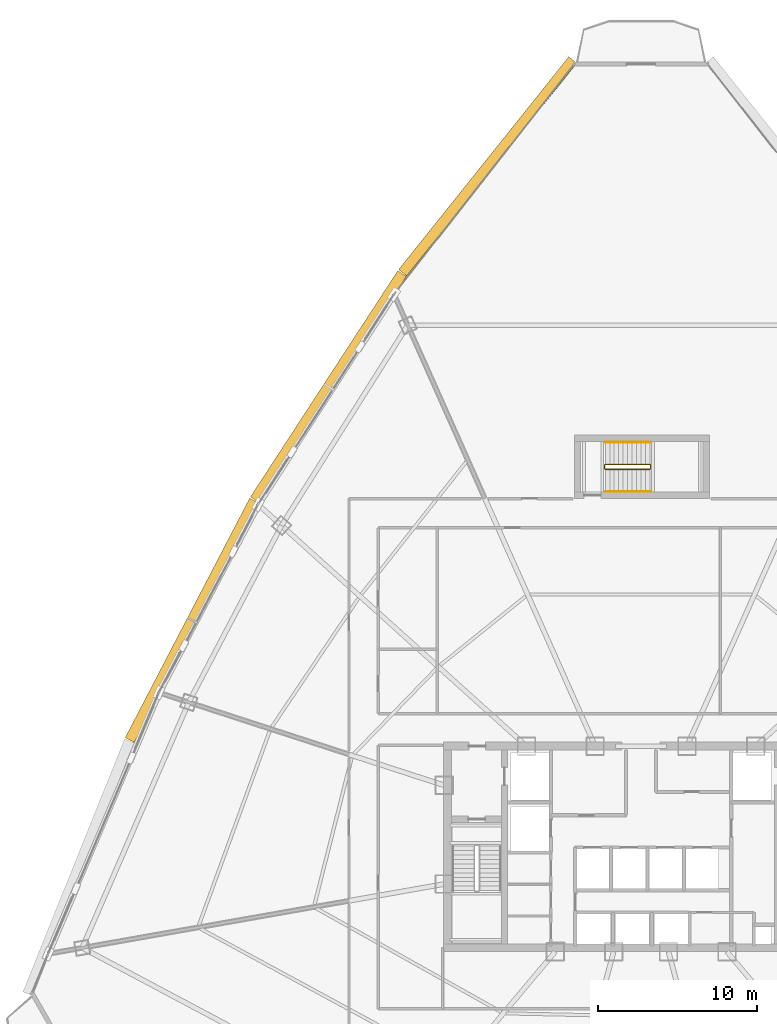
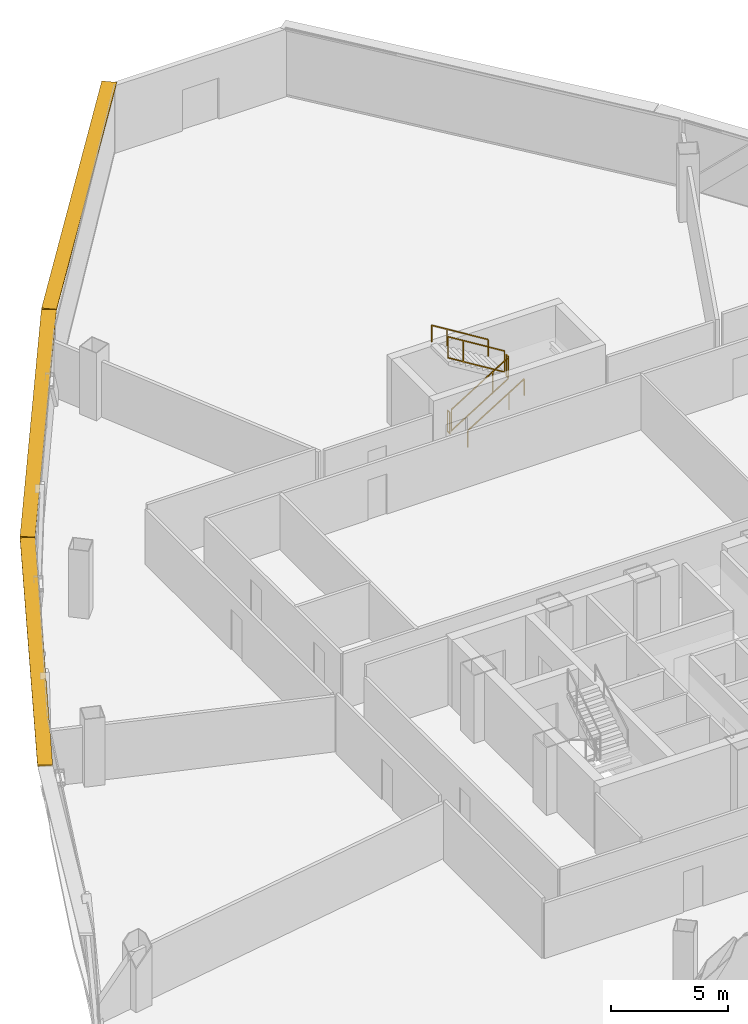
# One storey, part 36 of 37: 6 railings, 3 shading devices.
"""IFC4 building model written with IfcOpenShell, lengths in metres."""

import ifcopenshell
import ifcopenshell.guid

model = None  # the IFC model being written
_history = None  # IfcOwnerHistory: only IFC2X3 demands one
_inside = {}  # id of a spatial element -> (the spatial element, [elements in it])
_under = {}  # id of a project, library or spatial element -> (it, [spatial elements below it])
_declared = {}  # id of a project -> (the project, [libraries it declares])
_typed = {}  # id of a type object -> (the type object, [elements of that type])
_made_of = {}  # id of a material, layer set ... -> (it, [elements and type objects made of it])


def new_model(schema):
    """Start an empty IFC model of exactly this schema.

    Asked for "IFC4X3", IfcOpenShell would pick the latest addendum, in which some entities
    have other attributes; the version numbers below select the first issue.
    IFC2X3 requires an IfcOwnerHistory on every rooted entity: one is made here for all.
    """
    global model, _history
    if schema == "IFC4X3":
        model = ifcopenshell.file(schema_version=(4, 3, 0, 0))
    else:
        model = ifcopenshell.file(schema=schema)
    _inside.clear()
    _under.clear()
    _declared.clear()
    _typed.clear()
    _made_of.clear()
    _history = None
    if model.schema == "IFC2X3":
        org = make("IfcOrganization", Name="unknown")
        user = make(
            "IfcPersonAndOrganization",
            ThePerson=make("IfcPerson", FamilyName="unknown"),
            TheOrganization=org,
        )
        app = make(
            "IfcApplication",
            ApplicationDeveloper=org,
            Version="unknown",
            ApplicationFullName="unknown",
            ApplicationIdentifier="unknown",
        )
        _history = make(
            "IfcOwnerHistory",
            OwningUser=user,
            OwningApplication=app,
            ChangeAction="ADDED",
            CreationDate=0,
        )
    return model


def make(cls, **values):
    """One entity of the class cls with the attributes given. An attribute that is None is left unset."""
    return model.create_entity(
        cls, **{name: value for name, value in values.items() if value is not None}
    )


def rooted(cls, **values):
    """An entity with a GlobalId (a new one), such as an element, a storey or a relation."""
    return make(cls, GlobalId=ifcopenshell.guid.new(), OwnerHistory=_history, **values)


def si_unit(unit_type, name, prefix=None):
    """IfcSIUnit, for example si_unit("LENGTHUNIT", "METRE", prefix="MILLI")."""
    return make("IfcSIUnit", UnitType=unit_type, Prefix=prefix, Name=name)


def assignment(units):
    """IfcUnitAssignment: the units of a project."""
    return None if units is None else make("IfcUnitAssignment", Units=units)


def point(xyz):
    """IfcCartesianPoint."""
    return None if xyz is None else make("IfcCartesianPoint", Coordinates=xyz)


def direction(xyz):
    """IfcDirection."""
    return None if xyz is None else make("IfcDirection", DirectionRatios=xyz)


def frame(location, z_axis=None, x_axis=None):
    """IfcAxis2Placement3D, a coordinate frame: its origin and axes. An axis left out is left unset."""
    return make(
        "IfcAxis2Placement3D",
        Location=point(location),
        Axis=direction(z_axis),
        RefDirection=direction(x_axis),
    )


def frame_2d(location, x_axis=None):
    """IfcAxis2Placement2D, a coordinate frame in the plane: its origin and x axis."""
    return make(
        "IfcAxis2Placement2D", Location=point(location), RefDirection=direction(x_axis)
    )


def origin():
    """The frame at (0, 0, 0) with its axes left unset."""
    return frame((0.0, 0.0, 0.0))


def origin_2d():
    """The frame at (0, 0) in the plane with its x axis left unset."""
    return frame_2d((0.0, 0.0))


def place(relative_to, where):
    """IfcLocalPlacement: puts the frame where relative to a parent placement (None: the world)."""
    return make(
        "IfcLocalPlacement", PlacementRelTo=relative_to, RelativePlacement=where
    )


def context(
    kind, dimensions, precision=None, world=None, true_north=None, identifier=None
):
    """IfcGeometricRepresentationContext, for example the 3D "Model" context."""
    return make(
        "IfcGeometricRepresentationContext",
        ContextIdentifier=identifier,
        ContextType=kind,
        CoordinateSpaceDimension=dimensions,
        Precision=precision,
        WorldCoordinateSystem=world,
        TrueNorth=true_north,
    )


def subcontext(parent, identifier, kind, view, scale=None):
    """IfcGeometricRepresentationSubContext, for example "Body" below "Model"."""
    return make(
        "IfcGeometricRepresentationSubContext",
        ContextIdentifier=identifier,
        ContextType=kind,
        ParentContext=parent,
        TargetScale=scale,
        TargetView=view,
    )


def project(units=None, contexts=None):
    """IfcProject with its units and contexts."""
    return rooted(
        "IfcProject",
        Name="project",
        RepresentationContexts=contexts,
        UnitsInContext=assignment(units),
    )


def spatial(cls, under=None, at=None, **own):
    """A site, building, storey or space (cls), placed at a placement, below another one or the project."""
    s = rooted(cls, ObjectPlacement=at, **own)
    if under is not None:
        _under.setdefault(under.id(), (under, []))[1].append(s)
    return s


def profile(cls, at=None, kind="AREA", **sizes):
    """A parametric profile (cls). Its sizes go by their IFC names, for example OverallWidth=200.0."""
    return make(cls, ProfileType=kind, Position=at, **sizes)


def rectangle(**sizes):
    """IfcRectangleProfileDef."""
    return profile("IfcRectangleProfileDef", **sizes)


def extrude(swept, where, along, depth):
    """IfcExtrudedAreaSolid: the profile swept, set in the frame where, extruded along a direction by depth."""
    return make(
        "IfcExtrudedAreaSolid",
        SweptArea=swept,
        Position=where,
        ExtrudedDirection=direction(along),
        Depth=depth,
    )


def shape(context_of_items, identifier, shape_type, items):
    """IfcShapeRepresentation: the items that make up one representation, for example the "Body"."""
    return make(
        "IfcShapeRepresentation",
        ContextOfItems=context_of_items,
        RepresentationIdentifier=identifier,
        RepresentationType=shape_type,
        Items=items,
    )


def source(mapping_origin, context_of_items, identifier, shape_type, items):
    """IfcRepresentationMap: a shape defined once, which mapped items show again and again."""
    return make(
        "IfcRepresentationMap",
        MappingOrigin=mapping_origin,
        MappedRepresentation=shape(context_of_items, identifier, shape_type, items),
    )


def transform(
    local_origin,
    x_axis=None,
    y_axis=None,
    z_axis=None,
    scale=None,
    scale2=None,
    scale3=None,
    uniform=True,
):
    """IfcCartesianTransformationOperator3D, or its non-uniform kind. x_axis, y_axis, z_axis: its Axis1, 2, 3."""
    if uniform:
        return make(
            "IfcCartesianTransformationOperator3D",
            Axis1=direction(x_axis),
            Axis2=direction(y_axis),
            LocalOrigin=point(local_origin),
            Scale=scale,
            Axis3=direction(z_axis),
        )
    return make(
        "IfcCartesianTransformationOperator3DnonUniform",
        Axis1=direction(x_axis),
        Axis2=direction(y_axis),
        LocalOrigin=point(local_origin),
        Scale=scale,
        Axis3=direction(z_axis),
        Scale2=scale2,
        Scale3=scale3,
    )


def mapped(mapping_source, mapping_target):
    """IfcMappedItem: shows the shape of a source again, moved by a transform."""
    return make(
        "IfcMappedItem", MappingSource=mapping_source, MappingTarget=mapping_target
    )


def material(Name=None, Category=None):
    """IfcMaterial."""
    return make("IfcMaterial", Name=Name, Category=Category)


def layer(
    of_material, thickness, ventilated=None, Name=None, Category=None, Priority=None
):
    """IfcMaterialLayer: one layer of a wall or slab, of a material (None: an air gap)."""
    return make(
        "IfcMaterialLayer",
        Material=of_material,
        LayerThickness=thickness,
        IsVentilated=ventilated,
        Name=Name,
        Category=Category,
        Priority=Priority,
    )


def layer_set(layers, Name=None):
    """IfcMaterialLayerSet."""
    return make("IfcMaterialLayerSet", MaterialLayers=layers, LayerSetName=Name)


def made_of(thing, what):
    """Note that an element or type object is made of a material, layer set ...; save() writes the relation."""
    if what is not None:
        _made_of.setdefault(what.id(), (what, []))[1].append(thing)
    return thing


def type_object(cls, material=None, **own):
    """A type object (cls), such as IfcWallType, which elements share."""
    return made_of(rooted(cls, **own), material)


def element(
    cls,
    number,
    at=None,
    inside=None,
    cuts=None,
    type_object=None,
    material=None,
    context=None,
    identifier="Body",
    shape_type=None,
    held_by="IfcProductDefinitionShape",
    body=None,
    shapes=None,
    **own,
):
    """One element of the class cls, such as IfcWall. Its Tag is "e" and its number.

    at: its placement. inside: the storey or other place that contains it. cuts: it is an
    opening in that element (IfcRelVoidsElement). A single representation is given by context,
    identifier, shape_type and body (its items); several are given by shapes. held_by: the class
    of the entity that holds the representations. save() writes the other relations.
    """
    e = rooted(cls, Tag="e%d" % number, ObjectPlacement=at, **own)
    if body is not None:
        shapes = [shape(context, identifier, shape_type, body)]
    if shapes is not None:
        e.Representation = make(held_by, Representations=shapes)
    if inside is not None:
        _inside.setdefault(inside.id(), (inside, []))[1].append(e)
    if cuts is not None:
        rooted(
            "IfcRelVoidsElement", RelatingBuildingElement=cuts, RelatedOpeningElement=e
        )
    if type_object is not None:
        _typed.setdefault(type_object.id(), (type_object, []))[1].append(e)
    return made_of(e, material)


def aggregate(whole, parts):
    """IfcRelAggregates: a whole, such as a stair, and the parts it consists of."""
    return rooted("IfcRelAggregates", RelatingObject=whole, RelatedObjects=parts)


def save(model, path):
    """Write the relations noted so far, then the file.

    IfcRelAggregates (storeys below a building ...), IfcRelContainedInSpatialStructure (elements
    in a storey), IfcRelDefinesByType, IfcRelAssociatesMaterial and IfcRelDeclares: one each for
    every whole, place, type object, material and project.
    """
    for whole, parts in _under.values():
        aggregate(whole, parts)
    for where, things in _inside.values():
        rooted(
            "IfcRelContainedInSpatialStructure",
            RelatedElements=things,
            RelatingStructure=where,
        )
    for kind, things in _typed.values():
        rooted("IfcRelDefinesByType", RelatedObjects=things, RelatingType=kind)
    for what, things in _made_of.values():
        rooted("IfcRelAssociatesMaterial", RelatedObjects=things, RelatingMaterial=what)
    for by, libraries in _declared.values():
        rooted("IfcRelDeclares", RelatingContext=by, RelatedDefinitions=libraries)
    model.write(path)


model = new_model("IFC4")

# Units and contexts
model_context = context("Model", 3, precision=1e-05, world=origin(), true_north=direction((0.0, 1.0)))
body_context = subcontext(model_context, "Body", "Model", "MODEL_VIEW")
ifc_project = project(units=[si_unit("LENGTHUNIT", "METRE"), si_unit("AREAUNIT", "SQUARE_METRE"), si_unit("VOLUMEUNIT", "CUBIC_METRE"), si_unit("PLANEANGLEUNIT", "RADIAN"), si_unit("MASSUNIT", "GRAM", prefix="KILO"), si_unit("THERMODYNAMICTEMPERATUREUNIT", "KELVIN"), si_unit("POWERUNIT", "WATT")], contexts=[model_context])

# Site, building, storey
site_placement = place(None, origin())
site = spatial("IfcSite", under=ifc_project, at=site_placement, CompositionType="ELEMENT")
building_placement = place(site_placement, origin())
building = spatial("IfcBuilding", under=site, at=building_placement, Name="Yunzhuo Pagoda Commons", CompositionType="ELEMENT")
storey_placement = place(building_placement, frame((0.0, 0.0, 192.360107421875)))
storey = spatial("IfcBuildingStorey", under=building, at=storey_placement, Name="L48", CompositionType="ELEMENT", Elevation=192.360107421875)

# Railings
ifc_material = material(Name="Anodized aluminium 6063-T6", Category="aluminium")
railing_type_1 = type_object("IfcRailingType", Name="GR-ST3 North Well Guardrail 1155", PredefinedType="GUARDRAIL", material=ifc_material)
railing_1_placement = place(storey_placement, frame((45.75, 57.64990234375, 0.172607421875)))
element("IfcRailing", 1, at=railing_1_placement, inside=storey, type_object=railing_type_1, Name="L48 ST3 stair guard 1", PredefinedType="GUARDRAIL", context=body_context, shape_type="SweptSolid", body=[
    extrude(rectangle(XDim=0.048095703125, YDim=0.048095703125, at=origin_2d()), frame((0.0, 0.0, 1.1259765625), z_axis=(0.851089632645, 0.0, 0.525020415988), x_axis=(0.0, 1.0, 0.0)), (0.0, 0.0, 1.0), 3.2900390625),
    extrude(rectangle(XDim=0.048095703125, YDim=0.048095703125, at=origin_2d()), frame((0.0, 0.0, 0.02392578125), z_axis=(0.851089632645, 0.0, 0.525020415988), x_axis=(0.0, 1.0, 0.0)), (0.0, 0.0, 1.0), 3.2900390625),
    extrude(rectangle(XDim=0.0419921875, YDim=0.0419921875, at=origin_2d()), origin(), (0.0, 0.0, 1.0), 1.101806640625),
    extrude(rectangle(XDim=0.0419921875, YDim=0.0419921875, at=origin_2d()), frame((2.042724609375, 0.0, 1.260009765625)), (0.0, 0.0, 1.0), 1.101806640625),
    extrude(rectangle(XDim=0.0419921875, YDim=0.0419921875, at=origin_2d()), frame((2.800048828125, 0.0, 1.727294921875)), (0.0, 0.0, 1.0), 1.101806640625),
])
railing_2_placement = place(storey_placement, frame((48.60009765625, 57.699951171875, 1.89990234375)))
element("IfcRailing", 2, at=railing_2_placement, inside=storey, type_object=railing_type_1, Name="L48 ST3 stair guard 2", PredefinedType="GUARDRAIL", context=body_context, shape_type="SweptSolid", body=[
    extrude(rectangle(XDim=0.048095703125, YDim=0.048095703125, at=origin_2d()), frame((0.0, 0.0, 1.1259765625), z_axis=(0.0, 1.0, 0.0), x_axis=(-1.0, 0.0, 0.0)), (0.0, 0.0, 1.0), 0.199951171875),
    extrude(rectangle(XDim=0.048095703125, YDim=0.048095703125, at=origin_2d()), frame((0.0, 0.0, 0.02392578125), z_axis=(0.0, 1.0, 0.0), x_axis=(-1.0, 0.0, 0.0)), (0.0, 0.0, 1.0), 0.199951171875),
    extrude(rectangle(XDim=0.0419921875, YDim=0.0419921875, at=origin_2d()), origin(), (0.0, 0.0, 1.0), 1.101806640625),
    extrude(rectangle(XDim=0.0419921875, YDim=0.0419921875, at=origin_2d()), frame((0.0, 0.199951171875, 0.0)), (0.0, 0.0, 1.0), 1.101806640625),
])
railing_3_placement = place(storey_placement, frame((48.550048828125, 57.949951171875, 2.072509765625)))
element("IfcRailing", 3, at=railing_3_placement, inside=storey, type_object=railing_type_1, Name="L48 ST3 stair guard 3", PredefinedType="GUARDRAIL", context=body_context, shape_type="SweptSolid", body=[
    extrude(rectangle(XDim=0.048095703125, YDim=0.048095703125, at=origin_2d()), frame((0.0, 0.0, 1.1259765625), z_axis=(-0.851089632645, 0.0, 0.525020415988), x_axis=(0.0, -1.0, 0.0)), (0.0, 0.0, 1.0), 3.2900390625),
    extrude(rectangle(XDim=0.048095703125, YDim=0.048095703125, at=origin_2d()), frame((0.0, 0.0, 0.02392578125), z_axis=(-0.851089632645, 0.0, 0.525020415988), x_axis=(0.0, -1.0, 0.0)), (0.0, 0.0, 1.0), 3.2900390625),
    extrude(rectangle(XDim=0.0419921875, YDim=0.0419921875, at=origin_2d()), origin(), (0.0, 0.0, 1.0), 1.101806640625),
    extrude(rectangle(XDim=0.0419921875, YDim=0.0419921875, at=origin_2d()), frame((-2.042724609375, 0.0, 1.260009765625)), (0.0, 0.0, 1.0), 1.101806640625),
    extrude(rectangle(XDim=0.0419921875, YDim=0.0419921875, at=origin_2d()), frame((-2.800048828125, 0.0, 1.727294921875)), (0.0, 0.0, 1.0), 1.101806640625),
])
railing_4_placement = place(storey_placement, frame((45.699951171875, 57.699951171875, 0.0)))
element("IfcRailing", 4, at=railing_4_placement, inside=storey, type_object=railing_type_1, Name="L48 ST3 stair guard 4", PredefinedType="GUARDRAIL", context=body_context, shape_type="SweptSolid", body=[
    extrude(rectangle(XDim=0.048095703125, YDim=0.048095703125, at=origin_2d()), frame((0.0, 0.0, 1.1259765625), z_axis=(0.0, 1.0, 0.0), x_axis=(-1.0, 0.0, 0.0)), (0.0, 0.0, 1.0), 0.199951171875),
    extrude(rectangle(XDim=0.048095703125, YDim=0.048095703125, at=origin_2d()), frame((0.0, 0.0, 0.02392578125), z_axis=(0.0, 1.0, 0.0), x_axis=(-1.0, 0.0, 0.0)), (0.0, 0.0, 1.0), 0.199951171875),
    extrude(rectangle(XDim=0.0419921875, YDim=0.0419921875, at=origin_2d()), origin(), (0.0, 0.0, 1.0), 1.101806640625),
    extrude(rectangle(XDim=0.0419921875, YDim=0.0419921875, at=origin_2d()), frame((0.0, 0.199951171875, 0.0)), (0.0, 0.0, 1.0), 1.101806640625),
])
railing_type_2 = type_object("IfcRailingType", Name="HR-ST3 North Stair Handrail 900", PredefinedType="HANDRAIL", material=ifc_material)
railing_5_placement = place(storey_placement, frame((45.75, 56.25, 0.172607421875)))
element("IfcRailing", 5, at=railing_5_placement, inside=storey, type_object=railing_type_2, Name="L48 ST3 stair handrail 1", PredefinedType="HANDRAIL", context=body_context, shape_type="SweptSolid", body=[
    extrude(rectangle(XDim=0.048095703125, YDim=0.048095703125, at=origin_2d()), frame((0.0, 0.0, 0.8759765625), z_axis=(0.851089632645, 0.0, 0.525020415988), x_axis=(0.0, 1.0, 0.0)), (0.0, 0.0, 1.0), 3.2900390625),
    extrude(rectangle(XDim=0.0419921875, YDim=0.0419921875, at=origin_2d()), origin(), (0.0, 0.0, 1.0), 0.851806640625),
    extrude(rectangle(XDim=0.0419921875, YDim=0.0419921875, at=origin_2d()), frame((2.042724609375, 0.0, 1.260009765625)), (0.0, 0.0, 1.0), 0.851806640625),
    extrude(rectangle(XDim=0.0419921875, YDim=0.0419921875, at=origin_2d()), frame((2.800048828125, 0.0, 1.727294921875)), (0.0, 0.0, 1.0), 0.851806640625),
])
railing_6_placement = place(storey_placement, frame((48.550048828125, 59.35009765625, 2.072509765625)))
element("IfcRailing", 6, at=railing_6_placement, inside=storey, type_object=railing_type_2, Name="L48 ST3 stair handrail 2", PredefinedType="HANDRAIL", context=body_context, shape_type="SweptSolid", body=[
    extrude(rectangle(XDim=0.048095703125, YDim=0.048095703125, at=origin_2d()), frame((0.0, 0.0, 0.8759765625), z_axis=(-0.851089632645, 0.0, 0.525020415988), x_axis=(0.0, -1.0, 0.0)), (0.0, 0.0, 1.0), 3.2900390625),
    extrude(rectangle(XDim=0.0419921875, YDim=0.0419921875, at=origin_2d()), origin(), (0.0, 0.0, 1.0), 0.851806640625),
    extrude(rectangle(XDim=0.0419921875, YDim=0.0419921875, at=origin_2d()), frame((-2.042724609375, 0.0, 1.260009765625)), (0.0, 0.0, 1.0), 0.851806640625),
    extrude(rectangle(XDim=0.0419921875, YDim=0.0419921875, at=origin_2d()), frame((-2.800048828125, 0.0, 1.727294921875)), (0.0, 0.0, 1.0), 0.851806640625),
])

# Shading devices
ifc_layer = layer(ifc_material, 0.080078125)
ifc_layer_set = layer_set([ifc_layer], Name="Anodized aluminium 6063-T6")
shading_device_type = type_object("IfcShadingDeviceType", Name="SH-SUN1 Pagoda Horizontal Sunshade Eave 650", PredefinedType="USERDEFINED", material=ifc_layer_set)
shared_shape_1 = source(origin(), body_context, "Body", "SweptSolid", [
    extrude(rectangle(XDim=17.16650390625, YDim=0.64990234375, at=origin_2d()), origin(), (0.0, 0.0, 1.0), 0.080078125),
])
shading_device_1_placement = place(storey_placement, frame((38.339599609375, 76.728271484375, 3.4599609375), z_axis=(0.0, 0.0, 1.0), x_axis=(-0.624520471688, -0.781008438138, 0.0)))
element("IfcShadingDevice", 7, at=shading_device_1_placement, inside=storey, type_object=shading_device_type, Name="L48 horizontal pagoda sunshade eave F3.1", ObjectType="SUNSHADE", PredefinedType="USERDEFINED", context=body_context, shape_type="MappedRepresentation", body=[
    mapped(shared_shape_1, transform((0.0, 0.0, 0.0), scale=1.0)),
])
shared_shape_2 = source(origin(), body_context, "Body", "SweptSolid", [
    extrude(rectangle(XDim=17.003662109375, YDim=0.64990234375, at=origin_2d()), origin(), (0.0, 0.0, 1.0), 0.080078125),
])
shading_device_2_placement = place(storey_placement, frame((19.707763671875, 48.1279296875, 3.4599609375), z_axis=(0.0, 0.0, 1.0), x_axis=(-0.461206683033, -0.88729273384, 0.0)))
element("IfcShadingDevice", 8, at=shading_device_2_placement, inside=storey, type_object=shading_device_type, Name="L48 horizontal pagoda sunshade eave F3.3", ObjectType="SUNSHADE", PredefinedType="USERDEFINED", context=body_context, shape_type="MappedRepresentation", body=[
    mapped(shared_shape_2, transform((0.0, 0.0, 0.0), scale=1.0)),
])
shared_shape_3 = source(origin(), body_context, "Body", "SweptSolid", [
    extrude(rectangle(XDim=17.00341796875, YDim=0.64990234375, at=origin_2d()), origin(), (0.0, 0.0, 1.0), 0.080078125),
])
shading_device_3_placement = place(storey_placement, frame((28.301513671875, 62.849853515625, 3.4599609375), z_axis=(0.0, 0.0, 1.0), x_axis=(-0.545838756973, -0.837890238269, 0.0)))
element("IfcShadingDevice", 9, at=shading_device_3_placement, inside=storey, type_object=shading_device_type, Name="L48 horizontal pagoda sunshade eave F3.2", ObjectType="SUNSHADE", PredefinedType="USERDEFINED", context=body_context, shape_type="MappedRepresentation", body=[
    mapped(shared_shape_3, transform((0.0, 0.0, 0.0), scale=1.0)),
])

save(model, "model.ifc")
